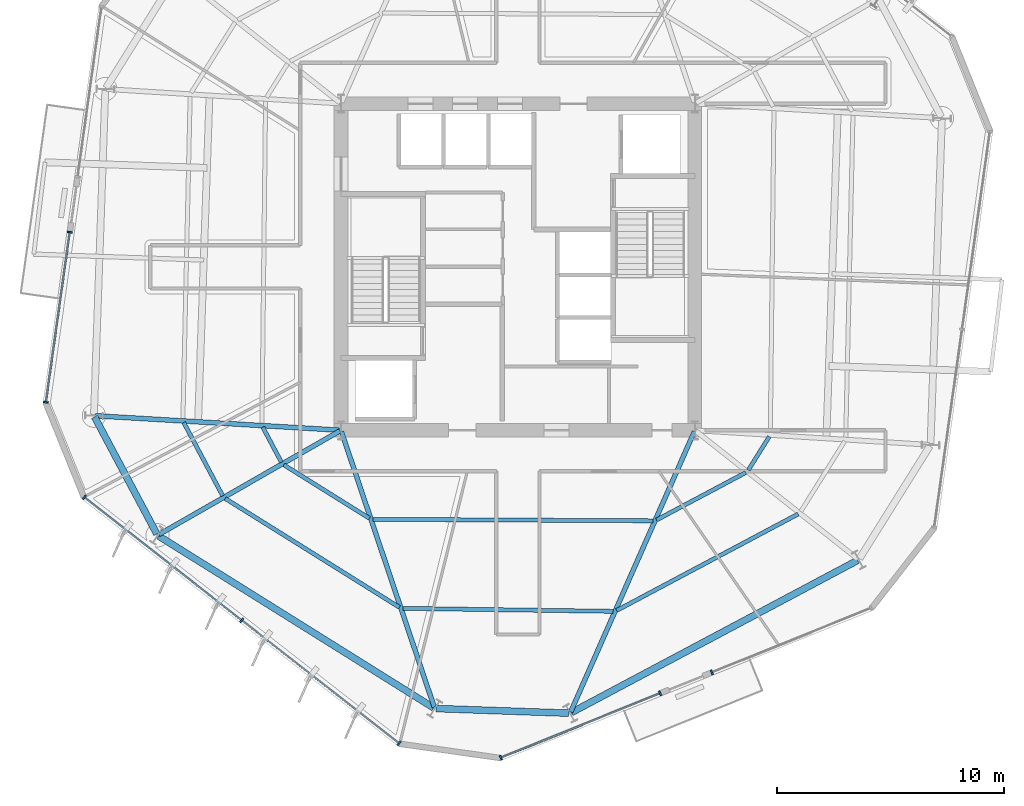
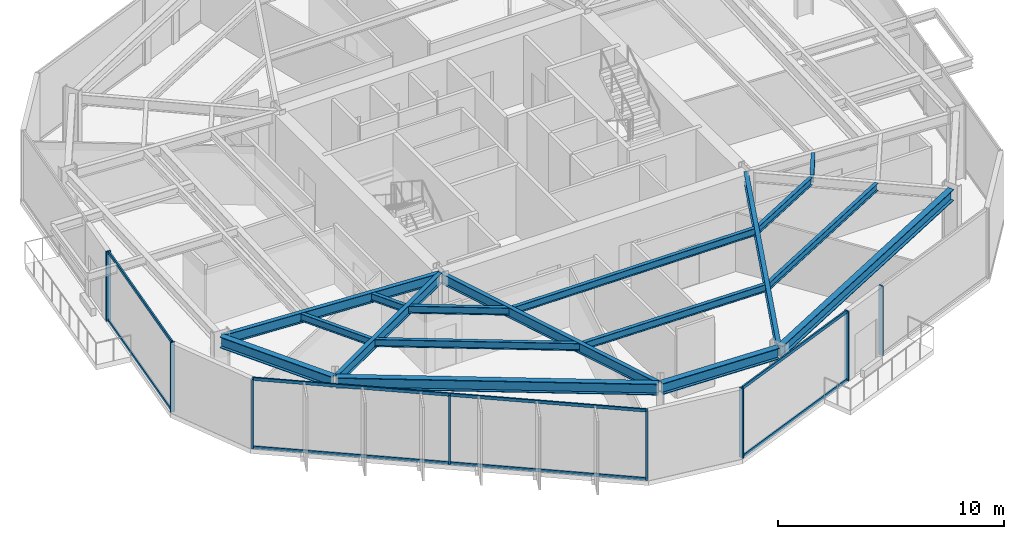
# One storey, part 2 of 12: 17 beams, 16 members, 4 elements without a shape of their own.
"""IFC4 building model written with IfcOpenShell, lengths in metres."""

from ifc_helpers import new_model, si_unit, direction, frame, origin, origin_2d, place, context, subcontext, project, spatial, rectangle, i_section, extrude, material, layer, layer_set, material_profile, profile_set, type_object, element, aggregate, save


model = new_model("IFC4")

# Units and contexts
model_context = context("Model", 3, precision=1e-05, world=origin(), true_north=direction((0.0, 1.0)))
body_context = subcontext(model_context, "Body", "Model", "MODEL_VIEW")
ifc_project = project(units=[si_unit("LENGTHUNIT", "METRE"), si_unit("AREAUNIT", "SQUARE_METRE"), si_unit("VOLUMEUNIT", "CUBIC_METRE"), si_unit("PLANEANGLEUNIT", "RADIAN"), si_unit("MASSUNIT", "GRAM", prefix="KILO")], contexts=[model_context])

# Site, building, storey
site_placement = place(None, origin())
site = spatial("IfcSite", under=ifc_project, at=site_placement, CompositionType="ELEMENT")
building_placement = place(site_placement, origin())
building = spatial("IfcBuilding", under=site, at=building_placement, Name="Kranzbogen Civic Tower", CompositionType="ELEMENT")
storey_placement = place(building_placement, frame((0.0, 0.0, 110.39990234375)))
storey = spatial("IfcBuildingStorey", under=building, at=storey_placement, Name="L26", CompositionType="ELEMENT", Elevation=110.39990234375)

# Curtain wall, members
ifc_material_1 = material(Name="Pale Anodised Aluminium", Category="aluminium")
ifc_layer = layer(ifc_material_1, 0.219970703125, Name="Pale Anodised Aluminium")
ifc_layer_set = layer_set([ifc_layer], Name="Pale Anodised Aluminium")
curtain_wall_type = type_object("IfcCurtainWallType", Name="Zone 2 Stick Curtain Wall System CW-03", PredefinedType="USERDEFINED", material=ifc_layer_set)
curtain_wall_1_placement = place(storey_placement, origin())
curtain_wall_1 = element("IfcCurtainWall", 1, at=curtain_wall_1_placement, inside=storey, type_object=curtain_wall_type, Name="L26 curtain wall CW-L26-F3-S2", ObjectType="STICK CURTAIN WALL", PredefinedType="USERDEFINED")
ifc_material_profile_1 = material_profile(ifc_material_1, rectangle(XDim=0.074951171875, YDim=0.219970703125, at=origin_2d()), Name="ALU-M 75x220")
ifc_profile_set_1 = profile_set([ifc_material_profile_1], Name="Pale Anodised Aluminium")
member_type_1 = type_object("IfcMemberType", Name="Curtain Wall Mullion ALU-M 75x220", PredefinedType="MULLION", material=ifc_profile_set_1)
member_1_placement = place(storey_placement, frame((5.248779296875, 26.5341796875, 0.0), z_axis=(0.0, 0.0, 1.0), x_axis=(-0.139110324934, -0.990276889308, 0.0)))
member_1 = element("IfcMember", 2, at=member_1_placement, type_object=member_type_1, Name="CW-03 mullion 1", PredefinedType="MULLION", context=body_context, shape_type="SweptSolid", body=[
    extrude(rectangle(XDim=0.074951171875, YDim=0.219970703125, at=origin_2d()), origin(), (0.0, 0.0, 1.0), 3.760009765625),
])
member_2_placement = place(storey_placement, frame((4.195068359375, 19.03369140625, 0.0), z_axis=(0.0, 0.0, 1.0), x_axis=(-0.139110324934, -0.990276889308, 0.0)))
member_2 = element("IfcMember", 3, at=member_2_placement, type_object=member_type_1, Name="CW-03 mullion 2", PredefinedType="MULLION", context=body_context, shape_type="SweptSolid", body=[
    extrude(rectangle(XDim=0.074951171875, YDim=0.219970703125, at=origin_2d()), origin(), (0.0, 0.0, 1.0), 3.760009765625),
])

curtain_wall_2_placement = place(storey_placement, origin())
curtain_wall_2 = element("IfcCurtainWall", 4, at=curtain_wall_2_placement, inside=storey, type_object=curtain_wall_type, Name="L26 curtain wall CW-L26-F4", ObjectType="STICK CURTAIN WALL", PredefinedType="USERDEFINED")
member_3_placement = place(storey_placement, frame((5.8896484375, 14.840576171875, 0.0), z_axis=(0.0, 0.0, 1.0), x_axis=(0.788006354184, -0.615667106288, 0.0)))
member_3 = element("IfcMember", 5, at=member_3_placement, type_object=member_type_1, Name="CW-03 mullion 1", PredefinedType="MULLION", context=body_context, shape_type="SweptSolid", body=[
    extrude(rectangle(XDim=0.074951171875, YDim=0.219970703125, at=origin_2d()), origin(), (0.0, 0.0, 1.0), 3.760009765625),
])
member_4_placement = place(storey_placement, frame((12.827392578125, 9.419921875, 0.0), z_axis=(0.0, 0.0, 1.0), x_axis=(0.788006354184, -0.615667106288, 0.0)))
member_4 = element("IfcMember", 6, at=member_4_placement, type_object=member_type_1, Name="CW-03 mullion 2", PredefinedType="MULLION", context=body_context, shape_type="SweptSolid", body=[
    extrude(rectangle(XDim=0.074951171875, YDim=0.219970703125, at=origin_2d()), origin(), (0.0, 0.0, 1.0), 3.760009765625),
])
member_5_placement = place(storey_placement, frame((19.765380859375, 3.99951171875, 0.0), z_axis=(0.0, 0.0, 1.0), x_axis=(0.788006354184, -0.615667106288, 0.0)))
member_5 = element("IfcMember", 7, at=member_5_placement, type_object=member_type_1, Name="CW-03 mullion 3", PredefinedType="MULLION", context=body_context, shape_type="SweptSolid", body=[
    extrude(rectangle(XDim=0.074951171875, YDim=0.219970703125, at=origin_2d()), origin(), (0.0, 0.0, 1.0), 3.760009765625),
])

curtain_wall_3_placement = place(storey_placement, origin())
curtain_wall_3 = element("IfcCurtainWall", 8, at=curtain_wall_3_placement, inside=storey, type_object=curtain_wall_type, Name="L26 curtain wall CW-L26-F5-S1", ObjectType="STICK CURTAIN WALL", PredefinedType="USERDEFINED")
member_6_placement = place(storey_placement, frame((24.243896484375, 3.369140625, 0.0), z_axis=(0.0, 0.0, 1.0), x_axis=(0.927170096622, 0.374640643723, 0.0)))
member_6 = element("IfcMember", 9, at=member_6_placement, type_object=member_type_1, Name="CW-03 mullion 1", PredefinedType="MULLION", context=body_context, shape_type="SweptSolid", body=[
    extrude(rectangle(XDim=0.074951171875, YDim=0.219970703125, at=origin_2d()), origin(), (0.0, 0.0, 1.0), 3.760009765625),
])
member_7_placement = place(storey_placement, frame((31.26611328125, 6.206787109375, 0.0), z_axis=(0.0, 0.0, 1.0), x_axis=(0.927170096622, 0.374640643723, 0.0)))
member_7 = element("IfcMember", 10, at=member_7_placement, type_object=member_type_1, Name="CW-03 mullion 2", PredefinedType="MULLION", context=body_context, shape_type="SweptSolid", body=[
    extrude(rectangle(XDim=0.074951171875, YDim=0.219970703125, at=origin_2d()), origin(), (0.0, 0.0, 1.0), 3.760009765625),
])

# Curtain wall, member
curtain_wall_4_placement = place(storey_placement, origin())
curtain_wall_4 = element("IfcCurtainWall", 11, at=curtain_wall_4_placement, inside=storey, type_object=curtain_wall_type, Name="L26 curtain wall CW-L26-F5-S2", ObjectType="STICK CURTAIN WALL", PredefinedType="USERDEFINED")
member_8_placement = place(storey_placement, frame((33.546875, 7.128173828125, 0.0), z_axis=(0.0, 0.0, 1.0), x_axis=(0.927170096622, 0.374640643723, 0.0)))
member_8 = element("IfcMember", 12, at=member_8_placement, type_object=member_type_1, Name="CW-03 mullion 1", PredefinedType="MULLION", context=body_context, shape_type="SweptSolid", body=[
    extrude(rectangle(XDim=0.074951171875, YDim=0.219970703125, at=origin_2d()), origin(), (0.0, 0.0, 1.0), 3.760009765625),
])
aggregate(curtain_wall_4, [member_8])

# Member
ifc_material_profile_2 = material_profile(ifc_material_1, rectangle(XDim=0.074951171875, YDim=0.1650390625, at=origin_2d()), Name="ALU-T 75x165")
ifc_profile_set_2 = profile_set([ifc_material_profile_2], Name="Pale Anodised Aluminium")
member_type_2 = type_object("IfcMemberType", Name="Curtain Wall Transom ALU-T 75x165", PredefinedType="USERDEFINED", material=ifc_profile_set_2)
member_9_placement = place(storey_placement, frame((5.24462890625, 26.504638671875, 0.030029296875), z_axis=(-0.139092042297, -0.990279457411, 0.0), x_axis=(0.990279457411, -0.139092042297, 0.0)))
member_9 = element("IfcMember", 13, at=member_9_placement, type_object=member_type_2, Name="CW-03 transom 1.1", ObjectType="TRANSOM", PredefinedType="USERDEFINED", context=body_context, shape_type="SweptSolid", body=[
    extrude(rectangle(XDim=0.074951171875, YDim=0.1650390625, at=origin_2d()), origin(), (0.0, 0.0, 1.0), 7.51416015625),
])

member_10_placement = place(storey_placement, frame((5.24462890625, 26.504638671875, 3.72998046875), z_axis=(-0.139092042297, -0.990279457411, 0.0), x_axis=(0.990279457411, -0.139092042297, 0.0)))
member_10 = element("IfcMember", 14, at=member_10_placement, type_object=member_type_2, Name="CW-03 transom 1.2", ObjectType="TRANSOM", PredefinedType="USERDEFINED", context=body_context, shape_type="SweptSolid", body=[
    extrude(rectangle(XDim=0.074951171875, YDim=0.1650390625, at=origin_2d()), origin(), (0.0, 0.0, 1.0), 7.51416015625),
])

aggregate(curtain_wall_1, [member_1, member_2, member_9, member_10])

member_11_placement = place(storey_placement, frame((5.913330078125, 14.822021484375, 0.030029296875), z_axis=(0.788010828411, -0.615661379581, 0.0), x_axis=(0.615661379581, 0.788010828411, 0.0)))
member_11 = element("IfcMember", 15, at=member_11_placement, type_object=member_type_2, Name="CW-03 transom 1.1", ObjectType="TRANSOM", PredefinedType="USERDEFINED", context=body_context, shape_type="SweptSolid", body=[
    extrude(rectangle(XDim=0.074951171875, YDim=0.1650390625, at=origin_2d()), origin(), (0.0, 0.0, 1.0), 8.744384765625),
])

member_12_placement = place(storey_placement, frame((5.913330078125, 14.822021484375, 3.72998046875), z_axis=(0.788010828411, -0.615661379581, 0.0), x_axis=(0.615661379581, 0.788010828411, 0.0)))
member_12 = element("IfcMember", 16, at=member_12_placement, type_object=member_type_2, Name="CW-03 transom 1.2", ObjectType="TRANSOM", PredefinedType="USERDEFINED", context=body_context, shape_type="SweptSolid", body=[
    extrude(rectangle(XDim=0.074951171875, YDim=0.1650390625, at=origin_2d()), origin(), (0.0, 0.0, 1.0), 8.744384765625),
])

member_13_placement = place(storey_placement, frame((12.85107421875, 9.401611328125, 0.030029296875), z_axis=(0.787997283181, -0.615678716295, 0.0), x_axis=(0.615678716295, 0.787997283181, 0.0)))
member_13 = element("IfcMember", 17, at=member_13_placement, type_object=member_type_2, Name="CW-03 transom 2.1", ObjectType="TRANSOM", PredefinedType="USERDEFINED", context=body_context, shape_type="SweptSolid", body=[
    extrude(rectangle(XDim=0.074951171875, YDim=0.1650390625, at=origin_2d()), origin(), (0.0, 0.0, 1.0), 8.744384765625),
])

member_14_placement = place(storey_placement, frame((12.85107421875, 9.401611328125, 3.72998046875), z_axis=(0.787997283181, -0.615678716295, 0.0), x_axis=(0.615678716295, 0.787997283181, 0.0)))
member_14 = element("IfcMember", 18, at=member_14_placement, type_object=member_type_2, Name="CW-03 transom 2.2", ObjectType="TRANSOM", PredefinedType="USERDEFINED", context=body_context, shape_type="SweptSolid", body=[
    extrude(rectangle(XDim=0.074951171875, YDim=0.1650390625, at=origin_2d()), origin(), (0.0, 0.0, 1.0), 8.744384765625),
])

aggregate(curtain_wall_2, [member_3, member_4, member_5, member_11, member_12, member_13, member_14])

member_15_placement = place(storey_placement, frame((24.271728515625, 3.38037109375, 0.030029296875), z_axis=(0.927160021861, 0.374665576032, 0.0), x_axis=(-0.374665576032, 0.927160021861, 0.0)))
member_15 = element("IfcMember", 19, at=member_15_placement, type_object=member_type_2, Name="CW-03 transom 1.1", ObjectType="TRANSOM", PredefinedType="USERDEFINED", context=body_context, shape_type="SweptSolid", body=[
    extrude(rectangle(XDim=0.074951171875, YDim=0.1650390625, at=origin_2d()), origin(), (0.0, 0.0, 1.0), 7.513916015625),
])

member_16_placement = place(storey_placement, frame((24.271728515625, 3.38037109375, 3.72998046875), z_axis=(0.927160021861, 0.374665576032, 0.0), x_axis=(-0.374665576032, 0.927160021861, 0.0)))
member_16 = element("IfcMember", 20, at=member_16_placement, type_object=member_type_2, Name="CW-03 transom 1.2", ObjectType="TRANSOM", PredefinedType="USERDEFINED", context=body_context, shape_type="SweptSolid", body=[
    extrude(rectangle(XDim=0.074951171875, YDim=0.1650390625, at=origin_2d()), origin(), (0.0, 0.0, 1.0), 7.513916015625),
])

aggregate(curtain_wall_3, [member_6, member_7, member_15, member_16])

# Beams
ifc_material_2 = material(Name="Steel S355", Category="steel")
ifc_material_profile_3 = material_profile(ifc_material_2, i_section(OverallWidth=0.300048828125, OverallDepth=0.60009765625, WebThickness=0.015380859375, FlangeThickness=0.030029296875, at=origin_2d()), Name="HEB 600")
ifc_profile_set_3 = profile_set([ifc_material_profile_3], Name="Steel S355")
beam_type_1 = type_object("IfcBeamType", Name="Perimeter Tube Spandrel Beam HEB 600", PredefinedType="SPANDREL", material=ifc_profile_set_3)
beam_1_placement = place(storey_placement, frame((6.337890625, 18.39111328125, 3.460205078125), z_axis=(0.469565926668, -0.882897412224, 0.0), x_axis=(0.882897412224, 0.469565926668, 0.0)))
element("IfcBeam", 21, at=beam_1_placement, inside=storey, type_object=beam_type_1, Name="L26 perimeter spandrel beam 01", PredefinedType="SPANDREL", context=body_context, shape_type="SweptSolid", body=[
    extrude(i_section(OverallWidth=0.300048828125, OverallDepth=0.60009765625, WebThickness=0.015380859375, FlangeThickness=0.030029296875, at=origin_2d()), origin(), (0.0, 0.0, 1.0), 5.852294921875),
])
beam_2_placement = place(storey_placement, frame((9.1650390625, 13.138916015625, 3.460205078125), z_axis=(0.848051101349, -0.52991445489, 0.0), x_axis=(0.52991445489, 0.848051101349, 0.0)))
element("IfcBeam", 22, at=beam_2_placement, inside=storey, type_object=beam_type_1, Name="L26 perimeter spandrel beam 02", PredefinedType="SPANDREL", context=body_context, shape_type="SweptSolid", body=[
    extrude(i_section(OverallWidth=0.300048828125, OverallDepth=0.60009765625, WebThickness=0.015380859375, FlangeThickness=0.030029296875, at=origin_2d()), origin(), (0.0, 0.0, 1.0), 14.286865234375),
])
beam_3_placement = place(storey_placement, frame((21.39208984375, 5.533935546875, 3.460205078125), z_axis=(0.999393148233, -0.03483296234, 0.0), x_axis=(0.03483296234, 0.999393148233, 0.0)))
element("IfcBeam", 23, at=beam_3_placement, inside=storey, type_object=beam_type_1, Name="L26 perimeter spandrel beam 03", PredefinedType="SPANDREL", context=body_context, shape_type="SweptSolid", body=[
    extrude(i_section(OverallWidth=0.300048828125, OverallDepth=0.60009765625, WebThickness=0.015380859375, FlangeThickness=0.030029296875, at=origin_2d()), origin(), (0.0, 0.0, 1.0), 5.8525390625),
])
beam_4_placement = place(storey_placement, frame((27.35400390625, 5.35595703125, 3.460205078125), z_axis=(0.882948194046, 0.469470432116, 0.0), x_axis=(-0.469470432116, 0.882948194046, 0.0)))
element("IfcBeam", 24, at=beam_4_placement, inside=storey, type_object=beam_type_1, Name="L26 perimeter spandrel beam 04", PredefinedType="SPANDREL", context=body_context, shape_type="SweptSolid", body=[
    extrude(i_section(OverallWidth=0.300048828125, OverallDepth=0.60009765625, WebThickness=0.015380859375, FlangeThickness=0.030029296875, at=origin_2d()), origin(), (0.0, 0.0, 1.0), 14.28857421875),
])
ifc_material_profile_4 = material_profile(ifc_material_2, i_section(OverallWidth=0.2099609375, OverallDepth=0.550048828125, WebThickness=0.010986328125, FlangeThickness=0.01708984375, at=origin_2d()), Name="IPE 550")
ifc_profile_set_4 = profile_set([ifc_material_profile_4], Name="Steel S355")
beam_type_2 = type_object("IfcBeamType", Name="Radial Tower Floor Girder IPE 550", PredefinedType="BEAM", material=ifc_profile_set_4)
beam_5_placement = place(storey_placement, frame((6.3701171875, 18.43994140625, 3.485107421875), z_axis=(0.998260925387, -0.058950189528, 0.0), x_axis=(0.058950189528, 0.998260925387, 0.0)))
element("IfcBeam", 25, at=beam_5_placement, inside=storey, type_object=beam_type_2, Name="L26 radial floor girder 01", PredefinedType="BEAM", context=body_context, shape_type="SweptSolid", body=[
    extrude(i_section(OverallWidth=0.2099609375, OverallDepth=0.550048828125, WebThickness=0.010986328125, FlangeThickness=0.01708984375, at=origin_2d()), origin(), (0.0, 0.0, 1.0), 10.78857421875),
])
beam_6_placement = place(storey_placement, frame((9.166015625, 13.200927734375, 3.485107421875), z_axis=(0.867868812182, 0.496793442833, 0.0), x_axis=(-0.496793442833, 0.867868812182, 0.0)))
element("IfcBeam", 26, at=beam_6_placement, inside=storey, type_object=beam_type_2, Name="L26 radial floor girder 02", PredefinedType="BEAM", context=body_context, shape_type="SweptSolid", body=[
    extrude(i_section(OverallWidth=0.2099609375, OverallDepth=0.550048828125, WebThickness=0.010986328125, FlangeThickness=0.01708984375, at=origin_2d()), origin(), (0.0, 0.0, 1.0), 9.197265625),
])
beam_7_placement = place(storey_placement, frame((21.31298828125, 5.593017578125, 3.485107421875), z_axis=(-0.319316617377, 0.947648087566, 0.0), x_axis=(-0.947648087566, -0.319316617377, 0.0)))
element("IfcBeam", 27, at=beam_7_placement, inside=storey, type_object=beam_type_2, Name="L26 radial floor girder 03", PredefinedType="BEAM", context=body_context, shape_type="SweptSolid", body=[
    extrude(i_section(OverallWidth=0.2099609375, OverallDepth=0.550048828125, WebThickness=0.010986328125, FlangeThickness=0.01708984375, at=origin_2d()), origin(), (0.0, 0.0, 1.0), 12.821044921875),
])
beam_8_placement = place(storey_placement, frame((27.324951171875, 5.383056640625, 3.485107421875), z_axis=(0.403459127705, 0.914997667905, 0.0), x_axis=(-0.914997667905, 0.403459127705, 0.0)))
element("IfcBeam", 28, at=beam_8_placement, inside=storey, type_object=beam_type_2, Name="L26 radial floor girder 04", PredefinedType="BEAM", context=body_context, shape_type="SweptSolid", body=[
    extrude(i_section(OverallWidth=0.2099609375, OverallDepth=0.550048828125, WebThickness=0.010986328125, FlangeThickness=0.01708984375, at=origin_2d()), origin(), (0.0, 0.0, 1.0), 13.510498046875),
])
ifc_material_profile_5 = material_profile(ifc_material_2, i_section(OverallWidth=0.179931640625, OverallDepth=0.39990234375, WebThickness=0.008544921875, FlangeThickness=0.013427734375, at=origin_2d()), Name="IPE 400")
ifc_profile_set_5 = profile_set([ifc_material_profile_5], Name="Steel S355")
beam_type_3 = type_object("IfcBeamType", Name="Secondary Composite Floor Joist IPE 400", PredefinedType="JOIST", material=ifc_profile_set_5)
beam_9_placement = place(storey_placement, frame((10.26806640625, 18.14208984375, 3.56005859375), z_axis=(0.469338791783, -0.88301817565, 0.0), x_axis=(0.88301817565, 0.469338791783, 0.0)))
element("IfcBeam", 29, at=beam_9_placement, inside=storey, type_object=beam_type_3, Name="L26 secondary floor joist 1.01", PredefinedType="JOIST", context=body_context, shape_type="SweptSolid", body=[
    extrude(i_section(OverallWidth=0.179931640625, OverallDepth=0.39990234375, WebThickness=0.008544921875, FlangeThickness=0.013427734375, at=origin_2d()), origin(), (0.0, 0.0, 1.0), 3.66259765625),
])
beam_10_placement = place(storey_placement, frame((13.7529296875, 17.93505859375, 3.56005859375), z_axis=(0.46943723363, -0.882965845139, 0.0), x_axis=(0.882965845139, 0.46943723363, 0.0)))
element("IfcBeam", 30, at=beam_10_placement, inside=storey, type_object=beam_type_3, Name="L26 secondary floor joist 2.01", PredefinedType="JOIST", context=body_context, shape_type="SweptSolid", body=[
    extrude(i_section(OverallWidth=0.179931640625, OverallDepth=0.39990234375, WebThickness=0.008544921875, FlangeThickness=0.013427734375, at=origin_2d()), origin(), (0.0, 0.0, 1.0), 1.7509765625),
])
beam_11_placement = place(storey_placement, frame((12.093017578125, 14.794921875, 3.56005859375), z_axis=(0.848025549308, -0.529955345026, 0.0), x_axis=(0.529955345026, 0.848025549308, 0.0)))
element("IfcBeam", 31, at=beam_11_placement, inside=storey, type_object=beam_type_3, Name="L26 secondary floor joist 1.02", PredefinedType="JOIST", context=body_context, shape_type="SweptSolid", body=[
    extrude(i_section(OverallWidth=0.179931640625, OverallDepth=0.39990234375, WebThickness=0.008544921875, FlangeThickness=0.013427734375, at=origin_2d()), origin(), (0.0, 0.0, 1.0), 9.06103515625),
])
beam_12_placement = place(storey_placement, frame((14.679931640625, 16.27587890625, 3.56005859375), z_axis=(0.848093834398, -0.529846060716, 0.0), x_axis=(0.529846060716, 0.848093834398, 0.0)))
element("IfcBeam", 32, at=beam_12_placement, inside=storey, type_object=beam_type_3, Name="L26 secondary floor joist 2.02", PredefinedType="JOIST", context=body_context, shape_type="SweptSolid", body=[
    extrude(i_section(OverallWidth=0.179931640625, OverallDepth=0.39990234375, WebThickness=0.008544921875, FlangeThickness=0.013427734375, at=origin_2d()), origin(), (0.0, 0.0, 1.0), 4.4501953125),
])
beam_13_placement = place(storey_placement, frame((19.924072265625, 9.949951171875, 3.56005859375), z_axis=(0.999900525148, -0.014104602386, 0.0), x_axis=(0.014104602386, 0.999900525148, 0.0)))
element("IfcBeam", 33, at=beam_13_placement, inside=storey, type_object=beam_type_3, Name="L26 secondary floor joist 1.03", PredefinedType="JOIST", context=body_context, shape_type="SweptSolid", body=[
    extrude(i_section(OverallWidth=0.179931640625, OverallDepth=0.39990234375, WebThickness=0.008544921875, FlangeThickness=0.013427734375, at=origin_2d()), origin(), (0.0, 0.0, 1.0), 9.27783203125),
])
beam_14_placement = place(storey_placement, frame((18.60205078125, 13.875, 3.56005859375), z_axis=(0.999985774147, -0.005333995002, 0.0), x_axis=(0.005333995002, 0.999985774147, 0.0)))
element("IfcBeam", 34, at=beam_14_placement, inside=storey, type_object=beam_type_3, Name="L26 secondary floor joist 2.03", PredefinedType="JOIST", context=body_context, shape_type="SweptSolid", body=[
    extrude(i_section(OverallWidth=0.179931640625, OverallDepth=0.39990234375, WebThickness=0.008544921875, FlangeThickness=0.013427734375, at=origin_2d()), origin(), (0.0, 0.0, 1.0), 12.358154296875),
])
beam_15_placement = place(storey_placement, frame((29.35107421875, 9.85498046875, 3.56005859375), z_axis=(0.882960787661, 0.469446746131, 0.0), x_axis=(-0.469446746131, 0.882960787661, 0.0)))
element("IfcBeam", 35, at=beam_15_placement, inside=storey, type_object=beam_type_3, Name="L26 secondary floor joist 1.04", PredefinedType="JOIST", context=body_context, shape_type="SweptSolid", body=[
    extrude(i_section(OverallWidth=0.179931640625, OverallDepth=0.39990234375, WebThickness=0.008544921875, FlangeThickness=0.013427734375, at=origin_2d()), origin(), (0.0, 0.0, 1.0), 9.0615234375),
])
beam_16_placement = place(storey_placement, frame((31.111083984375, 13.846923828125, 3.56005859375), z_axis=(0.882991399158, 0.469389165844, 0.0), x_axis=(-0.469389165844, 0.882991399158, 0.0)))
element("IfcBeam", 36, at=beam_16_placement, inside=storey, type_object=beam_type_3, Name="L26 secondary floor joist 2.04", PredefinedType="JOIST", context=body_context, shape_type="SweptSolid", body=[
    extrude(i_section(OverallWidth=0.179931640625, OverallDepth=0.39990234375, WebThickness=0.008544921875, FlangeThickness=0.013427734375, at=origin_2d()), origin(), (0.0, 0.0, 1.0), 4.45068359375),
])
beam_17_placement = place(storey_placement, frame((35.154052734375, 16.041015625, 3.56005859375), z_axis=(0.529572623603, 0.84826460278, 0.0), x_axis=(-0.84826460278, 0.529572623603, 0.0)))
element("IfcBeam", 37, at=beam_17_placement, inside=storey, type_object=beam_type_3, Name="L26 secondary floor joist 2.05", PredefinedType="JOIST", context=body_context, shape_type="SweptSolid", body=[
    extrude(i_section(OverallWidth=0.179931640625, OverallDepth=0.39990234375, WebThickness=0.008544921875, FlangeThickness=0.013427734375, at=origin_2d()), origin(), (0.0, 0.0, 1.0), 1.75048828125),
])

save(model, "model.ifc")
